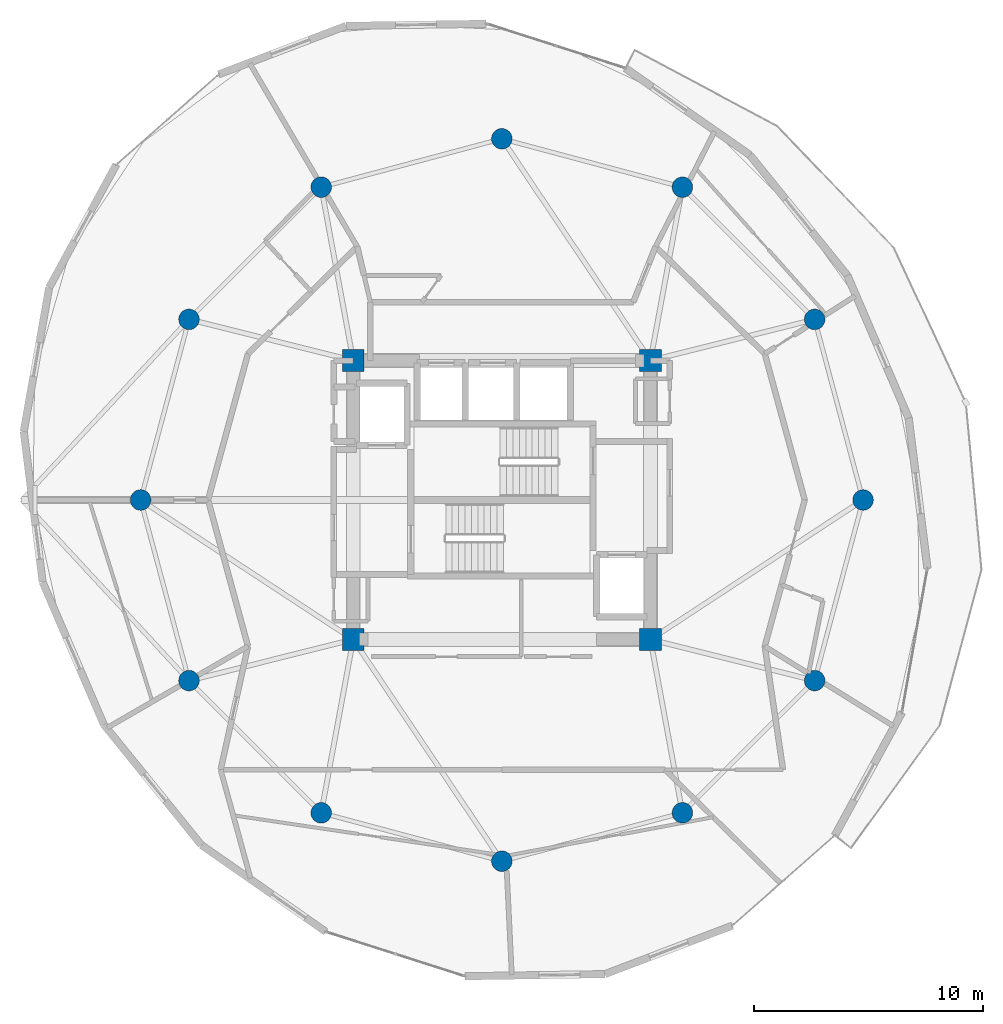
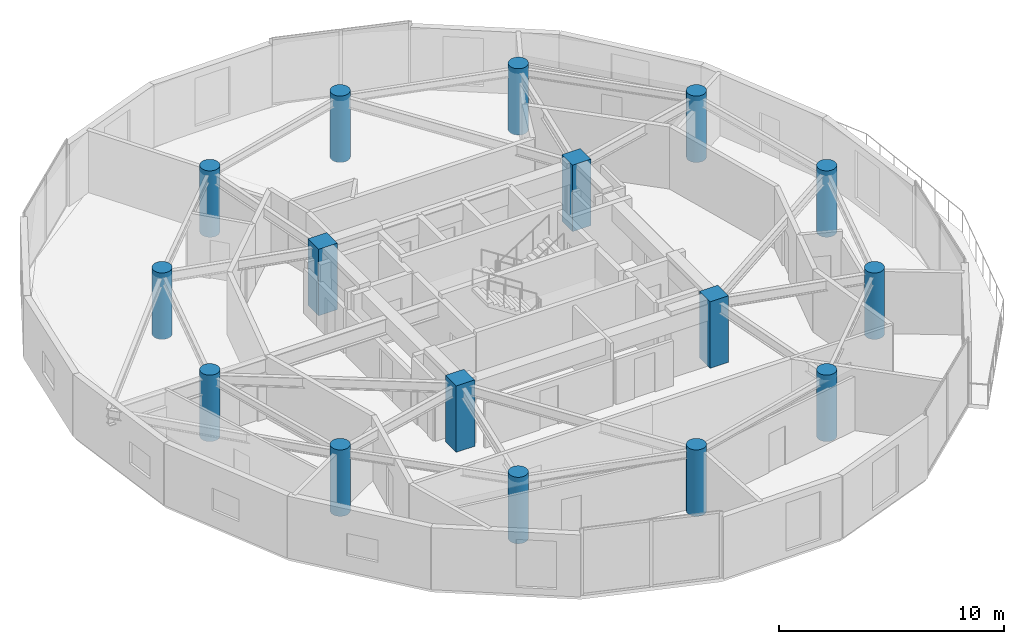
# One storey, part 1 of 18: 16 columns.
"""IFC4 building model written with IfcOpenShell, lengths in metres."""

from ifc_helpers import new_model, si_unit, direction, frame, origin, origin_2d, place, context, subcontext, project, spatial, rectangle, circle, extrude, material, material_profile, profile_set, type_object, element, save


model = new_model("IFC4")

# Units and contexts
model_context = context("Model", 3, precision=1e-05, world=origin(), true_north=direction((0.0, 1.0)))
body_context = subcontext(model_context, "Body", "Model", "MODEL_VIEW")
ifc_project = project(units=[si_unit("LENGTHUNIT", "METRE"), si_unit("AREAUNIT", "SQUARE_METRE"), si_unit("VOLUMEUNIT", "CUBIC_METRE"), si_unit("PLANEANGLEUNIT", "RADIAN"), si_unit("MASSUNIT", "GRAM", prefix="KILO")], contexts=[model_context])

# Site, building, storey
site_placement = place(None, origin())
site = spatial("IfcSite", under=ifc_project, at=site_placement, CompositionType="ELEMENT")
building_placement = place(site_placement, origin())
building = spatial("IfcBuilding", under=site, at=building_placement, Name="Solvirekh Grand Hotel", CompositionType="ELEMENT")
storey_placement = place(building_placement, frame((0.0, 0.0, 187.60009765625)))
storey = spatial("IfcBuildingStorey", under=building, at=storey_placement, Name="L48", CompositionType="ELEMENT", Elevation=187.60009765625)

# Columns
ifc_material = material(Name="Concrete C50/60", Category="concrete")
ifc_material_profile_1 = material_profile(ifc_material, rectangle(XDim=0.949951171875, YDim=0.949951171875, at=origin_2d()), Name="RC 950X950")
ifc_profile_set_1 = profile_set([ifc_material_profile_1], Name="Concrete C50/60")
column_type_1 = type_object("IfcColumnType", Name="Col_Core_950", PredefinedType="COLUMN", material=ifc_profile_set_1)
for number, where, z_axis, x_axis, name in (
    (1, (-6.5, -6.10009765625, 0.0), (0.0, 0.0, 1.0), (1.0, 0.0, 0.0), "L48 core corner column CC1"),
    (2, (6.5, -6.10009765625, 0.0), (0.0, 0.0, 1.0), (1.0, 0.0, 0.0), "L48 core corner column CC2"),
    (3, (6.5, 6.10009765625, 0.0), (0.0, 0.0, 1.0), (1.0, 0.0, 0.0), "L48 core corner column CC3"),
    (4, (-6.5, 6.10009765625, 0.0), (0.0, 0.0, 1.0), (1.0, 0.0, 0.0), "L48 core corner column CC4"),
):
    element("IfcColumn", number, at=place(storey_placement, frame(where, z_axis=z_axis, x_axis=x_axis)), inside=storey, type_object=column_type_1, Name=name, PredefinedType="COLUMN", context=body_context, shape_type="SweptSolid", body=[
        extrude(rectangle(XDim=0.949951171875, YDim=0.949951171875, at=origin_2d()), origin(), (0.0, 0.0, 1.0), 3.599853515625),
    ])
ifc_material_profile_2 = material_profile(ifc_material, circle(Radius=0.449951171875, at=origin_2d()), Name="RC CIRC D900")
ifc_profile_set_2 = profile_set([ifc_material_profile_2], Name="Concrete C50/60")
column_type_2 = type_object("IfcColumnType", Name="Col_Z3_D900", PredefinedType="COLUMN", material=ifc_profile_set_2)
for number, where, z_axis, x_axis, name in (
    (5, (15.800048828125, 0.0, 0.0), (0.0, 0.0, 1.0), (1.0, 0.0, 0.0), "L48 perimeter column P01"),
    (6, (13.68310546875, 7.89990234375, 0.0), (0.0, 0.0, 1.0), (1.0, 0.0, 0.0), "L48 perimeter column P02"),
    (7, (7.89990234375, 13.68310546875, 0.0), (0.0, 0.0, 1.0), (1.0, 0.0, 0.0), "L48 perimeter column P03"),
    (8, (0.0, 15.800048828125, 0.0), (0.0, 0.0, 1.0), (1.0, 0.0, 0.0), "L48 perimeter column P04"),
    (9, (-7.89990234375, 13.68310546875, 0.0), (0.0, 0.0, 1.0), (1.0, 0.0, 0.0), "L48 perimeter column P05"),
    (10, (-13.68310546875, 7.89990234375, 0.0), (0.0, 0.0, 1.0), (1.0, 0.0, 0.0), "L48 perimeter column P06"),
    (11, (-15.800048828125, 0.0, 0.0), (0.0, 0.0, 1.0), (1.0, 0.0, 0.0), "L48 perimeter column P07"),
    (12, (-13.68310546875, -7.89990234375, 0.0), (0.0, 0.0, 1.0), (1.0, 0.0, 0.0), "L48 perimeter column P08"),
    (13, (-7.89990234375, -13.68310546875, 0.0), (0.0, 0.0, 1.0), (1.0, 0.0, 0.0), "L48 perimeter column P09"),
    (14, (0.0, -15.800048828125, 0.0), (0.0, 0.0, 1.0), (1.0, 0.0, 0.0), "L48 perimeter column P10"),
    (15, (7.89990234375, -13.68310546875, 0.0), (0.0, 0.0, 1.0), (1.0, 0.0, 0.0), "L48 perimeter column P11"),
    (16, (13.68310546875, -7.89990234375, 0.0), (0.0, 0.0, 1.0), (1.0, 0.0, 0.0), "L48 perimeter column P12"),
):
    element("IfcColumn", number, at=place(storey_placement, frame(where, z_axis=z_axis, x_axis=x_axis)), inside=storey, type_object=column_type_2, Name=name, PredefinedType="COLUMN", context=body_context, shape_type="SweptSolid", body=[
        extrude(circle(Radius=0.449951171875, at=origin_2d()), origin(), (0.0, 0.0, 1.0), 3.599853515625),
    ])

save(model, "model.ifc")
